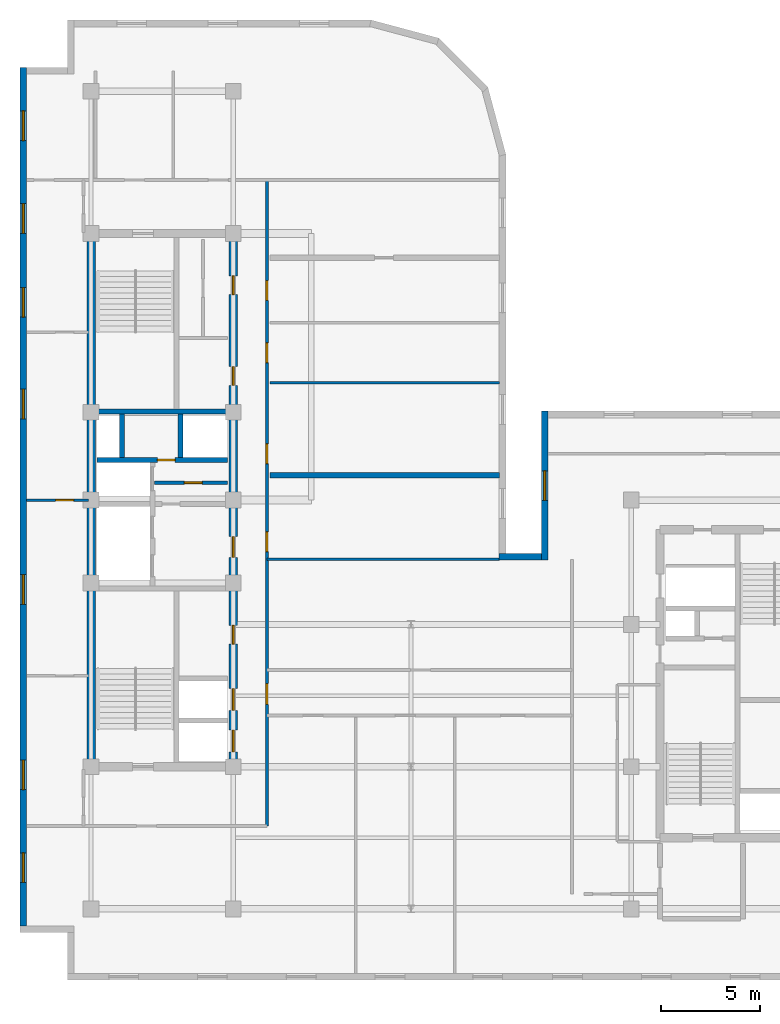
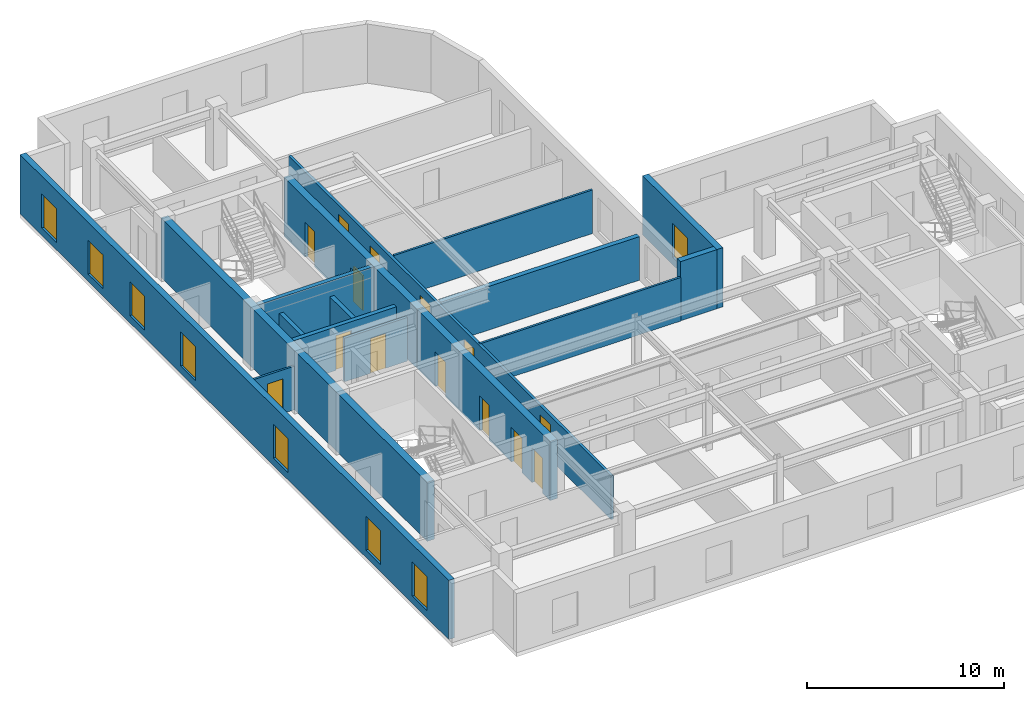
# One storey, part 4 of 10: 16 walls, 14 doors, 8 windows, 22 openings.
"""IFC4 building model written with IfcOpenShell, lengths in metres."""

from ifc_helpers import new_model, entity, si_unit, converted_unit, direction, frame, origin_with_axes, origin_2d_with_axis, place, context, subcontext, project, spatial, polyline, rectangle, outline, extrude, material, layer, layer_set, type_object, element, fill, save


model = new_model("IFC4")

# Units and contexts
model_context = context("Model", 3, precision=1e-05, world=origin_with_axes(), true_north=direction((0.0, 1.0)))
body_context = subcontext(model_context, "Body", "Model", "MODEL_VIEW")
ifc_project = project(units=[si_unit("LENGTHUNIT", "METRE"), si_unit("AREAUNIT", "SQUARE_METRE"), si_unit("VOLUMEUNIT", "CUBIC_METRE"), converted_unit("PLANEANGLEUNIT", "DEGREE", entity("IfcPlaneAngleMeasure", 0.017453292519943295), si_unit("PLANEANGLEUNIT", "RADIAN"), dimensions=[0, 0, 0, 0, 0, 0, 0]), si_unit("MASSUNIT", "GRAM", prefix="KILO"), si_unit("THERMODYNAMICTEMPERATUREUNIT", "KELVIN")], contexts=[model_context])

# Site, building, storey
site_placement = place(None, origin_with_axes())
site = spatial("IfcSite", under=ifc_project, at=site_placement, CompositionType="ELEMENT")
building_placement = place(site_placement, origin_with_axes())
building = spatial("IfcBuilding", under=site, at=building_placement, Name="Varnlund Millrace Tower", CompositionType="ELEMENT")
storey_placement = place(building_placement, frame((0.0, 0.0, 276.3), z_axis=(0.0, 0.0, 1.0), x_axis=(1.0, 0.0, 0.0)))
storey = spatial("IfcBuildingStorey", under=building, at=storey_placement, Name="L68", CompositionType="ELEMENT", Elevation=276.3)

# Wall
ifc_material_1 = material(Name="Concrete C60/75", Category="concrete")
ifc_layer_1 = layer(ifc_material_1, 0.42, Name="Concrete C60/75")
ifc_layer_set_1 = layer_set([ifc_layer_1], Name="Concrete C60/75")
wall_type_1 = type_object("IfcWallType", Name="Type-CoreWall-Shear-420-C60", PredefinedType="SHEAR", material=ifc_layer_set_1)
wall_1_placement = place(storey_placement, frame((11.4, 10.8, 0.0), z_axis=(0.0, 0.0, 1.0), x_axis=(0.0, 1.0, 0.0)))
element("IfcWall", 1, at=wall_1_placement, inside=storey, type_object=wall_type_1, Name="Type-CoreWall-Shear-420-C60", PredefinedType="SHEAR", context=body_context, shape_type="SweptSolid", body=[
    extrude(outline(polyline([(0.0, -0.21), (27.0, -0.21), (27.0, 0.21), (0.0, 0.21), (0.0, -0.21)])), origin_with_axes(), (0.0, 0.0, 1.0), 3.66),
])

# Wall, openings, doors
wall_2_placement = place(storey_placement, frame((18.6, 10.8, 0.0), z_axis=(0.0, 0.0, 1.0), x_axis=(0.0, 1.0, 0.0)))
wall_2 = element("IfcWall", 2, at=wall_2_placement, inside=storey, type_object=wall_type_1, Name="Type-CoreWall-Shear-420-C60", PredefinedType="SHEAR", context=body_context, shape_type="SweptSolid", body=[
    extrude(outline(polyline([(0.0, -0.21), (13.5, -0.21), (13.5, 0.21), (0.0, 0.21), (0.0, -0.21)])), origin_with_axes(), (0.0, 0.0, 1.0), 3.66),
])
opening_1_placement = place(wall_2_placement, frame((1.3, 0.0, 0.0), z_axis=(0.0, 0.0, 1.0), x_axis=(1.0, 0.0, 0.0)))
opening_1 = element("IfcOpeningElement", 3, at=opening_1_placement, cuts=wall_2, Name="Opening L68:LD-ELV-H1", PredefinedType="OPENING", context=body_context, shape_type="SweptSolid", body=[
    extrude(rectangle(XDim=1.1, YDim=0.44, at=origin_2d_with_axis()), origin_with_axes(), (0.0, 0.0, 1.0), 2.15),
])
opening_2_placement = place(wall_2_placement, frame((3.4, 0.0, 0.0), z_axis=(0.0, 0.0, 1.0), x_axis=(1.0, 0.0, 0.0)))
opening_2 = element("IfcOpeningElement", 4, at=opening_2_placement, cuts=wall_2, Name="Opening L68:LD-ELV-H2", PredefinedType="OPENING", context=body_context, shape_type="SweptSolid", body=[
    extrude(rectangle(XDim=1.1, YDim=0.44, at=origin_2d_with_axis()), origin_with_axes(), (0.0, 0.0, 1.0), 2.15),
])
opening_3_placement = place(wall_2_placement, frame((11.125, 0.0, 0.0), z_axis=(0.0, 0.0, 1.0), x_axis=(1.0, 0.0, 0.0)))
opening_3 = element("IfcOpeningElement", 5, at=opening_3_placement, cuts=wall_2, Name="Opening L68:DR-FFLOB-A", PredefinedType="OPENING", context=body_context, shape_type="SweptSolid", body=[
    extrude(rectangle(XDim=1.05, YDim=0.44, at=origin_2d_with_axis()), origin_with_axes(), (0.0, 0.0, 1.0), 2.15),
])
opening_4_placement = place(wall_2_placement, frame((6.675, 0.0, 0.0), z_axis=(0.0, 0.0, 1.0), x_axis=(1.0, 0.0, 0.0)))
opening_4 = element("IfcOpeningElement", 6, at=opening_4_placement, cuts=wall_2, Name="Opening L68:DR-RECL-S1AB", PredefinedType="OPENING", context=body_context, shape_type="SweptSolid", body=[
    extrude(rectangle(XDim=0.95, YDim=0.44, at=origin_2d_with_axis()), origin_with_axes(), (0.0, 0.0, 1.0), 2.15),
])
ifc_material_2 = material(Name="Smoke-barrier hollow steel fire door", Category="steel")
door_type_1 = type_object("IfcDoorType", Name="Type-FireDoor-Lobby-1050X2150", OperationType="NOTDEFINED", PredefinedType="DOOR", material=ifc_material_2)
door_1_placement = place(wall_2_placement, frame((11.125, 0.0, 0.0), z_axis=(0.0, 0.0, 1.0), x_axis=(1.0, 0.0, 0.0)))
door_1 = element("IfcDoor", 7, at=door_1_placement, inside=storey, type_object=door_type_1, Name="Type-FireDoor-Lobby-1050X2150", OperationType="SINGLE_SWING_LEFT", OverallHeight=2.15, OverallWidth=1.05, PredefinedType="DOOR", context=body_context, shape_type="SweptSolid", body=[
    extrude(rectangle(XDim=1.05, YDim=0.09, at=origin_2d_with_axis()), origin_with_axes(), (0.0, 0.0, 1.0), 2.15),
])
fill(opening_3, door_1)
ifc_material_3 = material(Name="Fire-rated hollow steel core service door", Category="steel")
door_type_2 = type_object("IfcDoorType", Name="Type-FireDoor-Service-950X2150", OperationType="NOTDEFINED", PredefinedType="DOOR", material=ifc_material_3)
door_2_placement = place(wall_2_placement, frame((6.675, 0.0, 0.0), z_axis=(0.0, 0.0, 1.0), x_axis=(1.0, 0.0, 0.0)))
door_2 = element("IfcDoor", 8, at=door_2_placement, inside=storey, type_object=door_type_2, Name="Type-FireDoor-Service-950X2150", OperationType="SINGLE_SWING_LEFT", OverallHeight=2.15, OverallWidth=0.95, PredefinedType="DOOR", context=body_context, shape_type="SweptSolid", body=[
    extrude(rectangle(XDim=0.95, YDim=0.09, at=origin_2d_with_axis()), origin_with_axes(), (0.0, 0.0, 1.0), 2.15),
])
fill(opening_4, door_2)
ifc_material_4 = material(Name="Stainless and architectural bronze sliding landing door")
door_type_3 = type_object("IfcDoorType", Name="Type-LiftLandingDoor-1100X2150", OperationType="NOTDEFINED", PredefinedType="DOOR", material=ifc_material_4)
door_3_placement = place(wall_2_placement, frame((1.3, 0.0, 0.0), z_axis=(0.0, 0.0, 1.0), x_axis=(1.0, 0.0, 0.0)))
door_3 = element("IfcDoor", 9, at=door_3_placement, inside=storey, type_object=door_type_3, Name="Type-LiftLandingDoor-1100X2150", OperationType="SLIDING_TO_LEFT", OverallHeight=2.15, OverallWidth=1.1, PredefinedType="DOOR", context=body_context, shape_type="SweptSolid", body=[
    extrude(rectangle(XDim=1.1, YDim=0.09, at=origin_2d_with_axis()), origin_with_axes(), (0.0, 0.0, 1.0), 2.15),
])
fill(opening_1, door_3)
door_4_placement = place(wall_2_placement, frame((3.4, 0.0, 0.0), z_axis=(0.0, 0.0, 1.0), x_axis=(1.0, 0.0, 0.0)))
door_4 = element("IfcDoor", 10, at=door_4_placement, inside=storey, type_object=door_type_3, Name="Type-LiftLandingDoor-1100X2150", OperationType="SLIDING_TO_RIGHT", OverallHeight=2.15, OverallWidth=1.1, PredefinedType="DOOR", context=body_context, shape_type="SweptSolid", body=[
    extrude(rectangle(XDim=1.1, YDim=0.09, at=origin_2d_with_axis()), origin_with_axes(), (0.0, 0.0, 1.0), 2.15),
])
fill(opening_2, door_4)

wall_3_placement = place(storey_placement, frame((18.6, 24.3, 0.0), z_axis=(0.0, 0.0, 1.0), x_axis=(0.0, 1.0, 0.0)))
wall_3 = element("IfcWall", 11, at=wall_3_placement, inside=storey, type_object=wall_type_1, Name="Type-CoreWall-Shear-420-C60", PredefinedType="SHEAR", context=body_context, shape_type="SweptSolid", body=[
    extrude(outline(polyline([(0.0, -0.21), (13.5, -0.21), (13.5, 0.21), (0.0, 0.21), (0.0, -0.21)])), origin_with_axes(), (0.0, 0.0, 1.0), 3.66),
])
opening_5_placement = place(wall_3_placement, frame((6.275, 0.0, 0.0), z_axis=(0.0, 0.0, 1.0), x_axis=(1.0, 0.0, 0.0)))
opening_5 = element("IfcOpeningElement", 12, at=opening_5_placement, cuts=wall_3, Name="Opening L68:DR-RECL-M1", PredefinedType="OPENING", context=body_context, shape_type="SweptSolid", body=[
    extrude(rectangle(XDim=0.95, YDim=0.44, at=origin_2d_with_axis()), origin_with_axes(), (0.0, 0.0, 1.0), 2.15),
])
opening_6_placement = place(wall_3_placement, frame((10.875, 0.0, 0.0), z_axis=(0.0, 0.0, 1.0), x_axis=(1.0, 0.0, 0.0)))
opening_6 = element("IfcOpeningElement", 13, at=opening_6_placement, cuts=wall_3, Name="Opening L68:DR-RECL-M3", PredefinedType="OPENING", context=body_context, shape_type="SweptSolid", body=[
    extrude(rectangle(XDim=0.95, YDim=0.44, at=origin_2d_with_axis()), origin_with_axes(), (0.0, 0.0, 1.0), 2.15),
])
door_5_placement = place(wall_3_placement, frame((6.275, 0.0, 0.0), z_axis=(0.0, 0.0, 1.0), x_axis=(1.0, 0.0, 0.0)))
door_5 = element("IfcDoor", 14, at=door_5_placement, inside=storey, type_object=door_type_2, Name="Type-FireDoor-Service-950X2150", OperationType="SINGLE_SWING_LEFT", OverallHeight=2.15, OverallWidth=0.95, PredefinedType="DOOR", context=body_context, shape_type="SweptSolid", body=[
    extrude(rectangle(XDim=0.95, YDim=0.09, at=origin_2d_with_axis()), origin_with_axes(), (0.0, 0.0, 1.0), 2.15),
])
fill(opening_5, door_5)
door_6_placement = place(wall_3_placement, frame((10.875, 0.0, 0.0), z_axis=(0.0, 0.0, 1.0), x_axis=(1.0, 0.0, 0.0)))
door_6 = element("IfcDoor", 15, at=door_6_placement, inside=storey, type_object=door_type_2, Name="Type-FireDoor-Service-950X2150", OperationType="SINGLE_SWING_RIGHT", OverallHeight=2.15, OverallWidth=0.95, PredefinedType="DOOR", context=body_context, shape_type="SweptSolid", body=[
    extrude(rectangle(XDim=0.95, YDim=0.09, at=origin_2d_with_axis()), origin_with_axes(), (0.0, 0.0, 1.0), 2.15),
])
fill(opening_6, door_6)

# Wall, opening, window
ifc_material_5 = material(Name="Precast concrete C50/60", Category="concrete")
ifc_layer_2 = layer(ifc_material_5, 0.34, Name="Precast concrete C50/60")
ifc_layer_set_2 = layer_set([ifc_layer_2], Name="Precast concrete C50/60")
wall_type_2 = type_object("IfcWallType", Name="Type-ExtWall-Precast-Upper-340", PredefinedType="SOLIDWALL", material=ifc_layer_set_2)
wall_4_placement = place(storey_placement, frame((34.37, 21.26, 0.0), z_axis=(0.0, 0.0, 1.0), x_axis=(0.0, 1.0, 0.0)))
wall_4 = element("IfcWall", 16, at=wall_4_placement, inside=storey, type_object=wall_type_2, Name="Type-ExtWall-Precast-Upper-340", PredefinedType="SOLIDWALL", context=body_context, shape_type="SweptSolid", body=[
    extrude(outline(polyline([(0.0, -0.17), (7.54, -0.17), (7.54, 0.17), (0.0, 0.17), (0.0, -0.17)])), origin_with_axes(), (0.0, 0.0, 1.0), 3.66),
])
opening_7_placement = place(wall_4_placement, frame((3.77, 0.0, 0.45), z_axis=(0.0, 0.0, 1.0), x_axis=(1.0, 0.0, 0.0)))
opening_7 = element("IfcOpeningElement", 17, at=opening_7_placement, cuts=wall_4, Name="Opening L68:WN-01", PredefinedType="OPENING", context=body_context, shape_type="SweptSolid", body=[
    extrude(rectangle(XDim=1.5, YDim=0.36, at=origin_2d_with_axis()), origin_with_axes(), (0.0, 0.0, 1.0), 2.1),
])
ifc_material_6 = material(Name="Argon low-e triple glazing in thermally broken bronze frame", Category="glass")
window_type = type_object("IfcWindowType", Name="Type-Window-Punched-1500X2100", PartitioningType="SINGLE_PANEL", PredefinedType="WINDOW", material=ifc_material_6)
window_1_placement = place(wall_4_placement, frame((3.77, 0.0, 0.45), z_axis=(0.0, 0.0, 1.0), x_axis=(1.0, 0.0, 0.0)))
window_1 = element("IfcWindow", 18, at=window_1_placement, inside=storey, type_object=window_type, Name="Type-Window-Punched-1500X2100", OverallHeight=2.1, OverallWidth=1.5, PredefinedType="WINDOW", context=body_context, shape_type="SweptSolid", body=[
    extrude(rectangle(XDim=1.5, YDim=0.09, at=origin_2d_with_axis()), origin_with_axes(), (0.0, 0.0, 1.0), 2.1),
])
fill(opening_7, window_1)

# Wall, openings, windows
wall_5_placement = place(storey_placement, frame((7.97, 2.74, 0.0), z_axis=(0.0, 0.0, 1.0), x_axis=(0.0, 1.0, 0.0)))
wall_5 = element("IfcWall", 19, at=wall_5_placement, inside=storey, type_object=wall_type_2, Name="Type-ExtWall-Precast-Upper-340", PredefinedType="SOLIDWALL", context=body_context, shape_type="SweptSolid", body=[
    extrude(outline(polyline([(0.0, -0.17), (43.46, -0.17), (43.46, 0.17), (0.0, 0.17), (0.0, -0.17)])), origin_with_axes(), (0.0, 0.0, 1.0), 3.66),
])
opening_8_placement = place(wall_5_placement, frame((2.948, 0.0, 0.45), z_axis=(0.0, 0.0, 1.0), x_axis=(1.0, 0.0, 0.0)))
opening_8 = element("IfcOpeningElement", 20, at=opening_8_placement, cuts=wall_5, Name="Opening L68:WN-17", PredefinedType="OPENING", context=body_context, shape_type="SweptSolid", body=[
    extrude(rectangle(XDim=1.5, YDim=0.36, at=origin_2d_with_axis()), origin_with_axes(), (0.0, 0.0, 1.0), 2.1),
])
opening_9_placement = place(wall_5_placement, frame((7.643, 0.0, 0.45), z_axis=(0.0, 0.0, 1.0), x_axis=(1.0, 0.0, 0.0)))
opening_9 = element("IfcOpeningElement", 21, at=opening_9_placement, cuts=wall_5, Name="Opening L68:WN-18", PredefinedType="OPENING", context=body_context, shape_type="SweptSolid", body=[
    extrude(rectangle(XDim=1.5, YDim=0.36, at=origin_2d_with_axis()), origin_with_axes(), (0.0, 0.0, 1.0), 2.1),
])
opening_10_placement = place(wall_5_placement, frame((17.034, 0.0, 0.45), z_axis=(0.0, 0.0, 1.0), x_axis=(1.0, 0.0, 0.0)))
opening_10 = element("IfcOpeningElement", 22, at=opening_10_placement, cuts=wall_5, Name="Opening L68:WN-19", PredefinedType="OPENING", context=body_context, shape_type="SweptSolid", body=[
    extrude(rectangle(XDim=1.5, YDim=0.36, at=origin_2d_with_axis()), origin_with_axes(), (0.0, 0.0, 1.0), 2.1),
])
opening_11_placement = place(wall_5_placement, frame((26.426, 0.0, 0.45), z_axis=(0.0, 0.0, 1.0), x_axis=(1.0, 0.0, 0.0)))
opening_11 = element("IfcOpeningElement", 23, at=opening_11_placement, cuts=wall_5, Name="Opening L68:WN-20", PredefinedType="OPENING", context=body_context, shape_type="SweptSolid", body=[
    extrude(rectangle(XDim=1.5, YDim=0.36, at=origin_2d_with_axis()), origin_with_axes(), (0.0, 0.0, 1.0), 2.1),
])
opening_12_placement = place(wall_5_placement, frame((31.571, 0.0, 0.45), z_axis=(0.0, 0.0, 1.0), x_axis=(1.0, 0.0, 0.0)))
opening_12 = element("IfcOpeningElement", 24, at=opening_12_placement, cuts=wall_5, Name="Opening L68:WN-21", PredefinedType="OPENING", context=body_context, shape_type="SweptSolid", body=[
    extrude(rectangle(XDim=1.5, YDim=0.36, at=origin_2d_with_axis()), origin_with_axes(), (0.0, 0.0, 1.0), 2.1),
])
opening_13_placement = place(wall_5_placement, frame((35.817, 0.0, 0.45), z_axis=(0.0, 0.0, 1.0), x_axis=(1.0, 0.0, 0.0)))
opening_13 = element("IfcOpeningElement", 25, at=opening_13_placement, cuts=wall_5, Name="Opening L68:WN-22", PredefinedType="OPENING", context=body_context, shape_type="SweptSolid", body=[
    extrude(rectangle(XDim=1.5, YDim=0.36, at=origin_2d_with_axis()), origin_with_axes(), (0.0, 0.0, 1.0), 2.1),
])
opening_14_placement = place(wall_5_placement, frame((40.512, 0.0, 0.45), z_axis=(0.0, 0.0, 1.0), x_axis=(1.0, 0.0, 0.0)))
opening_14 = element("IfcOpeningElement", 26, at=opening_14_placement, cuts=wall_5, Name="Opening L68:WN-23", PredefinedType="OPENING", context=body_context, shape_type="SweptSolid", body=[
    extrude(rectangle(XDim=1.5, YDim=0.36, at=origin_2d_with_axis()), origin_with_axes(), (0.0, 0.0, 1.0), 2.1),
])
window_2_placement = place(wall_5_placement, frame((2.948, 0.0, 0.45), z_axis=(0.0, 0.0, 1.0), x_axis=(1.0, 0.0, 0.0)))
window_2 = element("IfcWindow", 27, at=window_2_placement, inside=storey, type_object=window_type, Name="Type-Window-Punched-1500X2100", OverallHeight=2.1, OverallWidth=1.5, PredefinedType="WINDOW", context=body_context, shape_type="SweptSolid", body=[
    extrude(rectangle(XDim=1.5, YDim=0.09, at=origin_2d_with_axis()), origin_with_axes(), (0.0, 0.0, 1.0), 2.1),
])
fill(opening_8, window_2)
window_3_placement = place(wall_5_placement, frame((7.643, 0.0, 0.45), z_axis=(0.0, 0.0, 1.0), x_axis=(1.0, 0.0, 0.0)))
window_3 = element("IfcWindow", 28, at=window_3_placement, inside=storey, type_object=window_type, Name="Type-Window-Punched-1500X2100", OverallHeight=2.1, OverallWidth=1.5, PredefinedType="WINDOW", context=body_context, shape_type="SweptSolid", body=[
    extrude(rectangle(XDim=1.5, YDim=0.09, at=origin_2d_with_axis()), origin_with_axes(), (0.0, 0.0, 1.0), 2.1),
])
fill(opening_9, window_3)
window_4_placement = place(wall_5_placement, frame((17.034, 0.0, 0.45), z_axis=(0.0, 0.0, 1.0), x_axis=(1.0, 0.0, 0.0)))
window_4 = element("IfcWindow", 29, at=window_4_placement, inside=storey, type_object=window_type, Name="Type-Window-Punched-1500X2100", OverallHeight=2.1, OverallWidth=1.5, PredefinedType="WINDOW", context=body_context, shape_type="SweptSolid", body=[
    extrude(rectangle(XDim=1.5, YDim=0.09, at=origin_2d_with_axis()), origin_with_axes(), (0.0, 0.0, 1.0), 2.1),
])
fill(opening_10, window_4)
window_5_placement = place(wall_5_placement, frame((26.426, 0.0, 0.45), z_axis=(0.0, 0.0, 1.0), x_axis=(1.0, 0.0, 0.0)))
window_5 = element("IfcWindow", 30, at=window_5_placement, inside=storey, type_object=window_type, Name="Type-Window-Punched-1500X2100", OverallHeight=2.1, OverallWidth=1.5, PredefinedType="WINDOW", context=body_context, shape_type="SweptSolid", body=[
    extrude(rectangle(XDim=1.5, YDim=0.09, at=origin_2d_with_axis()), origin_with_axes(), (0.0, 0.0, 1.0), 2.1),
])
fill(opening_11, window_5)
window_6_placement = place(wall_5_placement, frame((31.571, 0.0, 0.45), z_axis=(0.0, 0.0, 1.0), x_axis=(1.0, 0.0, 0.0)))
window_6 = element("IfcWindow", 31, at=window_6_placement, inside=storey, type_object=window_type, Name="Type-Window-Punched-1500X2100", OverallHeight=2.1, OverallWidth=1.5, PredefinedType="WINDOW", context=body_context, shape_type="SweptSolid", body=[
    extrude(rectangle(XDim=1.5, YDim=0.09, at=origin_2d_with_axis()), origin_with_axes(), (0.0, 0.0, 1.0), 2.1),
])
fill(opening_12, window_6)
window_7_placement = place(wall_5_placement, frame((35.817, 0.0, 0.45), z_axis=(0.0, 0.0, 1.0), x_axis=(1.0, 0.0, 0.0)))
window_7 = element("IfcWindow", 32, at=window_7_placement, inside=storey, type_object=window_type, Name="Type-Window-Punched-1500X2100", OverallHeight=2.1, OverallWidth=1.5, PredefinedType="WINDOW", context=body_context, shape_type="SweptSolid", body=[
    extrude(rectangle(XDim=1.5, YDim=0.09, at=origin_2d_with_axis()), origin_with_axes(), (0.0, 0.0, 1.0), 2.1),
])
fill(opening_13, window_7)
window_8_placement = place(wall_5_placement, frame((40.512, 0.0, 0.45), z_axis=(0.0, 0.0, 1.0), x_axis=(1.0, 0.0, 0.0)))
window_8 = element("IfcWindow", 33, at=window_8_placement, inside=storey, type_object=window_type, Name="Type-Window-Punched-1500X2100", OverallHeight=2.1, OverallWidth=1.5, PredefinedType="WINDOW", context=body_context, shape_type="SweptSolid", body=[
    extrude(rectangle(XDim=1.5, YDim=0.09, at=origin_2d_with_axis()), origin_with_axes(), (0.0, 0.0, 1.0), 2.1),
])
fill(opening_14, window_8)

# Walls
wall_6_placement = place(storey_placement, frame((32.06, 21.43, 0.0), z_axis=(0.0, 0.0, 1.0), x_axis=(1.0, 0.0, 0.0)))
element("IfcWall", 34, at=wall_6_placement, inside=storey, type_object=wall_type_2, Name="Type-ExtWall-Precast-Upper-340", PredefinedType="SOLIDWALL", context=body_context, shape_type="SweptSolid", body=[
    extrude(outline(polyline([(0.0, -0.17), (2.14, -0.17), (2.14, 0.17), (0.0, 0.17), (0.0, -0.17)])), origin_with_axes(), (0.0, 0.0, 1.0), 3.66),
])
ifc_material_7 = material(Name="Double-stud STC-60 conference acoustic partition", Category="gypsum")
ifc_layer_3 = layer(ifc_material_7, 0.28, Name="Double-stud STC-60 conference acoustic partition")
ifc_layer_set_3 = layer_set([ifc_layer_3], Name="Double-stud STC-60 conference acoustic partition")
wall_type_3 = type_object("IfcWallType", Name="Type-Partition-Acoustic-280", PredefinedType="PARTITIONING", material=ifc_layer_set_3)
wall_7_placement = place(storey_placement, frame((20.45, 25.554, 0.0), z_axis=(0.0, 0.0, 1.0), x_axis=(1.0, 0.0, 0.0)))
element("IfcWall", 35, at=wall_7_placement, inside=storey, type_object=wall_type_3, Name="Type-Partition-Acoustic-280", PredefinedType="PARTITIONING", context=body_context, shape_type="SweptSolid", body=[
    extrude(outline(polyline([(0.0, -0.14), (11.615, -0.14), (11.615, 0.14), (0.0, 0.14), (0.0, -0.14)])), origin_with_axes(), (0.0, 0.0, 1.0), 2.7),
])

# Wall, opening, door
ifc_material_8 = material(Name="Fire-rated gypsum board on cold-formed steel framing", Category="steel")
ifc_layer_4 = layer(ifc_material_8, 0.16, Name="Fire-rated gypsum board on cold-formed steel framing")
ifc_layer_set_4 = layer_set([ifc_layer_4], Name="Fire-rated gypsum board on cold-formed steel framing")
wall_type_4 = type_object("IfcWallType", Name="Type-Partition-Corridor-160", PredefinedType="PARTITIONING", material=ifc_layer_set_4)
wall_8_placement = place(storey_placement, frame((14.62, 25.18, 0.0), z_axis=(0.0, 0.0, 1.0), x_axis=(1.0, 0.0, 0.0)))
wall_8 = element("IfcWall", 36, at=wall_8_placement, inside=storey, type_object=wall_type_4, Name="Type-Partition-Corridor-160", PredefinedType="PARTITIONING", context=body_context, shape_type="SweptSolid", body=[
    extrude(outline(polyline([(0.0, -0.08), (3.68, -0.08), (3.68, 0.08), (0.0, 0.08), (0.0, -0.08)])), origin_with_axes(), (0.0, 0.0, 1.0), 2.7),
])
opening_15_placement = place(wall_8_placement, frame((1.95, 0.0, 0.0), z_axis=(0.0, 0.0, 1.0), x_axis=(1.0, 0.0, 0.0)))
opening_15 = element("IfcOpeningElement", 37, at=opening_15_placement, cuts=wall_8, Name="Opening L68:DR-CA-SUB2", PredefinedType="OPENING", context=body_context, shape_type="SweptSolid", body=[
    extrude(rectangle(XDim=0.9, YDim=0.18, at=origin_2d_with_axis()), origin_with_axes(), (0.0, 0.0, 1.0), 2.15),
])
ifc_material_9 = material(Name="Painted steel riser and closet door", Category="steel")
door_type_4 = type_object("IfcDoorType", Name="Type-IntDoor-Closet-900X2150", OperationType="NOTDEFINED", PredefinedType="DOOR", material=ifc_material_9)
door_7_placement = place(wall_8_placement, frame((1.95, 0.0, 0.0), z_axis=(0.0, 0.0, 1.0), x_axis=(1.0, 0.0, 0.0)))
door_7 = element("IfcDoor", 38, at=door_7_placement, inside=storey, type_object=door_type_4, Name="Type-IntDoor-Closet-900X2150", OperationType="SINGLE_SWING_LEFT", OverallHeight=2.15, OverallWidth=0.9, PredefinedType="DOOR", context=body_context, shape_type="SweptSolid", body=[
    extrude(rectangle(XDim=0.9, YDim=0.09, at=origin_2d_with_axis()), origin_with_axes(), (0.0, 0.0, 1.0), 2.15),
])
fill(opening_15, door_7)

# Wall, openings, doors
wall_9_placement = place(storey_placement, frame((20.3, 7.8, 0.0), z_axis=(0.0, 0.0, 1.0), x_axis=(0.0, 1.0, 0.0)))
wall_9 = element("IfcWall", 39, at=wall_9_placement, inside=storey, type_object=wall_type_4, Name="Type-Partition-Corridor-160", PredefinedType="PARTITIONING", context=body_context, shape_type="SweptSolid", body=[
    extrude(outline(polyline([(0.0, -0.08), (32.7, -0.08), (32.7, 0.08), (0.0, 0.08), (0.0, -0.08)])), origin_with_axes(), (0.0, 0.0, 1.0), 2.7),
])
opening_16_placement = place(wall_9_placement, frame((14.392, 0.0, 0.0), z_axis=(0.0, 0.0, 1.0), x_axis=(1.0, 0.0, 0.0)))
opening_16 = element("IfcOpeningElement", 40, at=opening_16_placement, cuts=wall_9, Name="Opening L68:DR-FLR-01", PredefinedType="OPENING", context=body_context, shape_type="SweptSolid", body=[
    extrude(rectangle(XDim=1.0, YDim=0.18, at=origin_2d_with_axis()), origin_with_axes(), (0.0, 0.0, 1.0), 2.15),
])
opening_17_placement = place(wall_9_placement, frame((18.846, 0.0, 0.0), z_axis=(0.0, 0.0, 1.0), x_axis=(1.0, 0.0, 0.0)))
opening_17 = element("IfcOpeningElement", 41, at=opening_17_placement, cuts=wall_9, Name="Opening L68:DR-FLR-02", PredefinedType="OPENING", context=body_context, shape_type="SweptSolid", body=[
    extrude(rectangle(XDim=1.0, YDim=0.18, at=origin_2d_with_axis()), origin_with_axes(), (0.0, 0.0, 1.0), 2.15),
])
opening_18_placement = place(wall_9_placement, frame((23.952, 0.0, 0.0), z_axis=(0.0, 0.0, 1.0), x_axis=(1.0, 0.0, 0.0)))
opening_18 = element("IfcOpeningElement", 42, at=opening_18_placement, cuts=wall_9, Name="Opening L68:DR-FLR-03", PredefinedType="OPENING", context=body_context, shape_type="SweptSolid", body=[
    extrude(rectangle(XDim=1.0, YDim=0.18, at=origin_2d_with_axis()), origin_with_axes(), (0.0, 0.0, 1.0), 2.15),
])
opening_19_placement = place(wall_9_placement, frame((27.1145, 0.0, 0.0), z_axis=(0.0, 0.0, 1.0), x_axis=(1.0, 0.0, 0.0)))
opening_19 = element("IfcOpeningElement", 43, at=opening_19_placement, cuts=wall_9, Name="Opening L68:DR-FLR-04", PredefinedType="OPENING", context=body_context, shape_type="SweptSolid", body=[
    extrude(rectangle(XDim=1.0, YDim=0.18, at=origin_2d_with_axis()), origin_with_axes(), (0.0, 0.0, 1.0), 2.15),
])
opening_20_placement = place(wall_9_placement, frame((6.675, 0.0, 0.0), z_axis=(0.0, 0.0, 1.0), x_axis=(1.0, 0.0, 0.0)))
opening_20 = element("IfcOpeningElement", 44, at=opening_20_placement, cuts=wall_9, Name="Opening L68:DR-KN-W", PredefinedType="OPENING", context=body_context, shape_type="SweptSolid", body=[
    extrude(rectangle(XDim=1.05, YDim=0.18, at=origin_2d_with_axis()), origin_with_axes(), (0.0, 0.0, 1.0), 2.15),
])
door_8_placement = place(wall_9_placement, frame((6.675, 0.0, 0.0), z_axis=(0.0, 0.0, 1.0), x_axis=(1.0, 0.0, 0.0)))
door_8 = element("IfcDoor", 45, at=door_8_placement, inside=storey, type_object=door_type_1, Name="Type-FireDoor-Lobby-1050X2150", OperationType="SINGLE_SWING_LEFT", OverallHeight=2.15, OverallWidth=1.05, PredefinedType="DOOR", context=body_context, shape_type="SweptSolid", body=[
    extrude(rectangle(XDim=1.05, YDim=0.09, at=origin_2d_with_axis()), origin_with_axes(), (0.0, 0.0, 1.0), 2.15),
])
fill(opening_20, door_8)
ifc_material_10 = material(Name="Solid-core white oak and bronze frame door")
door_type_5 = type_object("IfcDoorType", Name="Type-IntDoor-Office-1000X2150", OperationType="NOTDEFINED", PredefinedType="DOOR", material=ifc_material_10)
door_9_placement = place(wall_9_placement, frame((14.392, 0.0, 0.0), z_axis=(0.0, 0.0, 1.0), x_axis=(1.0, 0.0, 0.0)))
door_9 = element("IfcDoor", 46, at=door_9_placement, inside=storey, type_object=door_type_5, Name="Type-IntDoor-Office-1000X2150", OperationType="SINGLE_SWING_LEFT", OverallHeight=2.15, OverallWidth=1.0, PredefinedType="DOOR", context=body_context, shape_type="SweptSolid", body=[
    extrude(rectangle(XDim=1.0, YDim=0.09, at=origin_2d_with_axis()), origin_with_axes(), (0.0, 0.0, 1.0), 2.15),
])
fill(opening_16, door_9)
door_10_placement = place(wall_9_placement, frame((18.846, 0.0, 0.0), z_axis=(0.0, 0.0, 1.0), x_axis=(1.0, 0.0, 0.0)))
door_10 = element("IfcDoor", 47, at=door_10_placement, inside=storey, type_object=door_type_5, Name="Type-IntDoor-Office-1000X2150", OperationType="SINGLE_SWING_RIGHT", OverallHeight=2.15, OverallWidth=1.0, PredefinedType="DOOR", context=body_context, shape_type="SweptSolid", body=[
    extrude(rectangle(XDim=1.0, YDim=0.09, at=origin_2d_with_axis()), origin_with_axes(), (0.0, 0.0, 1.0), 2.15),
])
fill(opening_17, door_10)
door_11_placement = place(wall_9_placement, frame((23.952, 0.0, 0.0), z_axis=(0.0, 0.0, 1.0), x_axis=(1.0, 0.0, 0.0)))
door_11 = element("IfcDoor", 48, at=door_11_placement, inside=storey, type_object=door_type_5, Name="Type-IntDoor-Office-1000X2150", OperationType="SINGLE_SWING_LEFT", OverallHeight=2.15, OverallWidth=1.0, PredefinedType="DOOR", context=body_context, shape_type="SweptSolid", body=[
    extrude(rectangle(XDim=1.0, YDim=0.09, at=origin_2d_with_axis()), origin_with_axes(), (0.0, 0.0, 1.0), 2.15),
])
fill(opening_18, door_11)
door_12_placement = place(wall_9_placement, frame((27.1145, 0.0, 0.0), z_axis=(0.0, 0.0, 1.0), x_axis=(1.0, 0.0, 0.0)))
door_12 = element("IfcDoor", 49, at=door_12_placement, inside=storey, type_object=door_type_5, Name="Type-IntDoor-Office-1000X2150", OperationType="SINGLE_SWING_RIGHT", OverallHeight=2.15, OverallWidth=1.0, PredefinedType="DOOR", context=body_context, shape_type="SweptSolid", body=[
    extrude(rectangle(XDim=1.0, YDim=0.09, at=origin_2d_with_axis()), origin_with_axes(), (0.0, 0.0, 1.0), 2.15),
])
fill(opening_19, door_12)

# Wall, opening, door
ifc_material_11 = material(Name="Gypsum board tenant partition", Category="gypsum")
ifc_layer_5 = layer(ifc_material_11, 0.125, Name="Gypsum board tenant partition")
ifc_layer_set_5 = layer_set([ifc_layer_5], Name="Gypsum board tenant partition")
wall_type_5 = type_object("IfcWallType", Name="Type-Partition-Tenant-125", PredefinedType="PARTITIONING", material=ifc_layer_set_5)
wall_10_placement = place(storey_placement, frame((8.135, 24.3, 0.0), z_axis=(0.0, 0.0, 1.0), x_axis=(1.0, 0.0, 0.0)))
wall_10 = element("IfcWall", 50, at=wall_10_placement, inside=storey, type_object=wall_type_5, Name="Type-Partition-Tenant-125", PredefinedType="PARTITIONING", context=body_context, shape_type="SweptSolid", body=[
    extrude(outline(polyline([(0.0, -0.0625), (3.135, -0.0625), (3.135, 0.0625), (0.0, 0.0625), (0.0, -0.0625)])), origin_with_axes(), (0.0, 0.0, 1.0), 2.7),
])
opening_21_placement = place(wall_10_placement, frame((1.925, 0.0, 0.0), z_axis=(0.0, 0.0, 1.0), x_axis=(1.0, 0.0, 0.0)))
opening_21 = element("IfcOpeningElement", 51, at=opening_21_placement, cuts=wall_10, Name="Opening L68:DR-WUI-2", PredefinedType="OPENING", context=body_context, shape_type="SweptSolid", body=[
    extrude(rectangle(XDim=0.9, YDim=0.145, at=origin_2d_with_axis()), origin_with_axes(), (0.0, 0.0, 1.0), 2.15),
])
door_13_placement = place(wall_10_placement, frame((1.925, 0.0, 0.0), z_axis=(0.0, 0.0, 1.0), x_axis=(1.0, 0.0, 0.0)))
door_13 = element("IfcDoor", 52, at=door_13_placement, inside=storey, type_object=door_type_4, Name="Type-IntDoor-Closet-900X2150", OperationType="SINGLE_SWING_LEFT", OverallHeight=2.15, OverallWidth=0.9, PredefinedType="DOOR", context=body_context, shape_type="SweptSolid", body=[
    extrude(rectangle(XDim=0.9, YDim=0.075, at=origin_2d_with_axis()), origin_with_axes(), (0.0, 0.0, 1.0), 2.15),
])
fill(opening_21, door_13)

# Walls
wall_11_placement = place(storey_placement, frame((20.45, 30.239, 0.0), z_axis=(0.0, 0.0, 1.0), x_axis=(1.0, 0.0, 0.0)))
element("IfcWall", 53, at=wall_11_placement, inside=storey, type_object=wall_type_5, Name="Type-Partition-Tenant-125", PredefinedType="PARTITIONING", context=body_context, shape_type="SweptSolid", body=[
    extrude(outline(polyline([(0.0, -0.0625), (11.615, -0.0625), (11.615, 0.0625), (0.0, 0.0625), (0.0, -0.0625)])), origin_with_axes(), (0.0, 0.0, 1.0), 2.7),
])
wall_12_placement = place(storey_placement, frame((20.3, 21.3, 0.0), z_axis=(0.0, 0.0, 1.0), x_axis=(1.0, 0.0, 0.0)))
element("IfcWall", 54, at=wall_12_placement, inside=storey, type_object=wall_type_5, Name="Type-Partition-Tenant-125", PredefinedType="PARTITIONING", context=body_context, shape_type="SweptSolid", body=[
    extrude(outline(polyline([(0.0, -0.0625), (11.765, -0.0625), (11.765, 0.0625), (0.0, 0.0625), (0.0, -0.0625)])), origin_with_axes(), (0.0, 0.0, 1.0), 2.7),
])

# Wall, opening, door
ifc_layer_6 = layer(ifc_material_1, 0.25, Name="Concrete C60/75")
ifc_layer_set_6 = layer_set([ifc_layer_6], Name="Concrete C60/75")
wall_type_6 = type_object("IfcWallType", Name="Type-ShaftWall-Fire-250", PredefinedType="SOLIDWALL", material=ifc_layer_set_6)
wall_13_placement = place(storey_placement, frame((11.7, 26.325, 0.0), z_axis=(0.0, 0.0, 1.0), x_axis=(1.0, 0.0, 0.0)))
wall_13 = element("IfcWall", 55, at=wall_13_placement, inside=storey, type_object=wall_type_6, Name="Type-ShaftWall-Fire-250", PredefinedType="SOLIDWALL", context=body_context, shape_type="SweptSolid", body=[
    extrude(outline(polyline([(0.0, -0.125), (6.6, -0.125), (6.6, 0.125), (0.0, 0.125), (0.0, -0.125)])), origin_with_axes(), (0.0, 0.0, 1.0), 2.7),
])
opening_22_placement = place(wall_13_placement, frame((3.5, 0.0, 0.0), z_axis=(0.0, 0.0, 1.0), x_axis=(1.0, 0.0, 0.0)))
opening_22 = element("IfcOpeningElement", 56, at=opening_22_placement, cuts=wall_13, Name="Opening L68:DR-CA-ELC", PredefinedType="OPENING", context=body_context, shape_type="SweptSolid", body=[
    extrude(rectangle(XDim=0.9, YDim=0.27, at=origin_2d_with_axis()), origin_with_axes(), (0.0, 0.0, 1.0), 2.15),
])
ifc_material_12 = material(Name="Fire-rated hollow steel service closet door", Category="steel")
door_type_6 = type_object("IfcDoorType", Name="Type-FireDoor-Closet-900X2150", OperationType="NOTDEFINED", PredefinedType="DOOR", material=ifc_material_12)
door_14_placement = place(wall_13_placement, frame((3.5, 0.0, 0.0), z_axis=(0.0, 0.0, 1.0), x_axis=(1.0, 0.0, 0.0)))
door_14 = element("IfcDoor", 57, at=door_14_placement, inside=storey, type_object=door_type_6, Name="Type-FireDoor-Closet-900X2150", OperationType="SINGLE_SWING_LEFT", OverallHeight=2.15, OverallWidth=0.9, PredefinedType="DOOR", context=body_context, shape_type="SweptSolid", body=[
    extrude(rectangle(XDim=0.9, YDim=0.09, at=origin_2d_with_axis()), origin_with_axes(), (0.0, 0.0, 1.0), 2.15),
])
fill(opening_22, door_14)

# Walls
for number, where, z_axis, x_axis, name in (
    (58, (12.96, 26.45, 0.0), (0.0, 0.0, 1.0), (0.0, 1.0, 0.0), "Type-ShaftWall-Fire-250"),
    (59, (15.925, 26.45, 0.0), (0.0, 0.0, 1.0), (0.0, 1.0, 0.0), "Type-ShaftWall-Fire-250"),
):
    element("IfcWall", number, at=place(storey_placement, frame(where, z_axis=z_axis, x_axis=x_axis)), inside=storey, type_object=wall_type_6, Name=name, PredefinedType="SOLIDWALL", context=body_context, shape_type="SweptSolid", body=[
        extrude(outline(polyline([(0.0, -0.125), (2.2, -0.125), (2.2, 0.125), (0.0, 0.125), (0.0, -0.125)])), origin_with_axes(), (0.0, 0.0, 1.0), 2.7),
    ])
wall_type_7 = type_object("IfcWallType", Name="Type-StairWall-Shear-250", PredefinedType="SHEAR", material=ifc_layer_set_6)
wall_14_placement = place(storey_placement, frame((11.61, 28.775, 0.0), z_axis=(0.0, 0.0, 1.0), x_axis=(1.0, 0.0, 0.0)))
element("IfcWall", 60, at=wall_14_placement, inside=storey, type_object=wall_type_7, Name="Type-StairWall-Shear-250", PredefinedType="SHEAR", context=body_context, shape_type="SweptSolid", body=[
    extrude(outline(polyline([(0.0, -0.125), (6.78, -0.125), (6.78, 0.125), (0.0, 0.125), (0.0, -0.125)])), origin_with_axes(), (0.0, 0.0, 1.0), 3.66),
])

save(model, "model.ifc")
